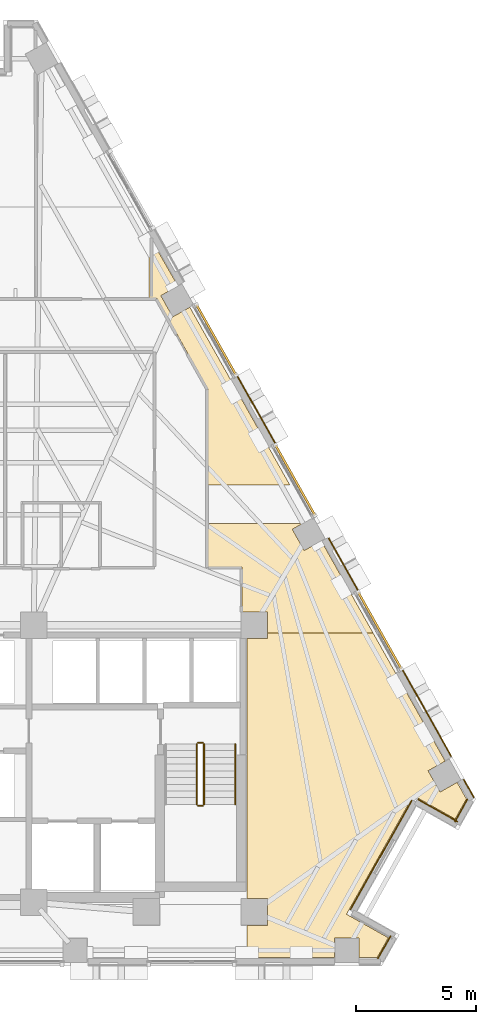
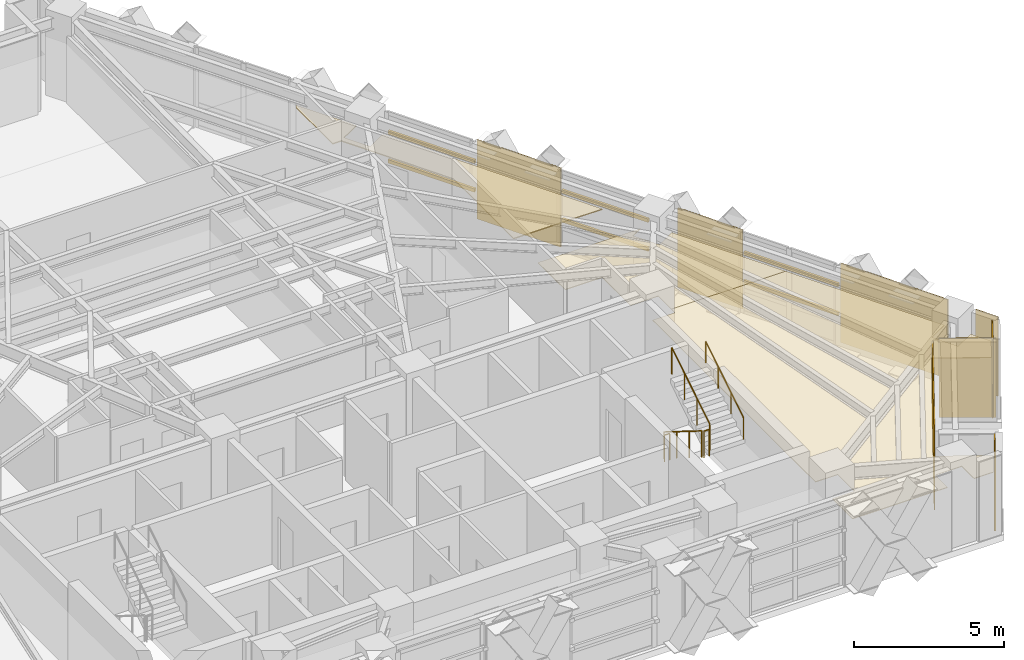
# One storey, part 13 of 14: 11 coverings, 6 shading devices, 5 railings.
"""IFC4 building model written with IfcOpenShell, lengths in metres."""

from ifc_helpers import new_model, si_unit, direction, frame, origin, origin_2d, place, context, subcontext, project, spatial, polyline, rectangle, circle, outline, extrude, material, layer, layer_set, material_profile, profile_set, type_object, element, save


model = new_model("IFC4")

# Units and contexts
model_context = context("Model", 3, precision=1e-05, world=origin(), true_north=direction((0.0, 1.0)))
body_context = subcontext(model_context, "Body", "Model", "MODEL_VIEW")
ifc_project = project(units=[si_unit("LENGTHUNIT", "METRE"), si_unit("AREAUNIT", "SQUARE_METRE"), si_unit("VOLUMEUNIT", "CUBIC_METRE"), si_unit("PLANEANGLEUNIT", "RADIAN"), si_unit("MASSUNIT", "GRAM", prefix="KILO")], contexts=[model_context])

# Site, building, storey
site_placement = place(None, origin())
site = spatial("IfcSite", under=ifc_project, at=site_placement, CompositionType="ELEMENT")
building_placement = place(site_placement, origin())
building = spatial("IfcBuilding", under=site, at=building_placement, Name="Quenlor Broadcast Tower", CompositionType="ELEMENT")
storey_placement = place(building_placement, frame((0.0, 0.0, 154.5)))
storey = spatial("IfcBuildingStorey", under=building, at=storey_placement, Name="L42", CompositionType="ELEMENT", Elevation=154.5)

# Coverings
ifc_material_1 = material(Name="Acoustic Mineral Fibre Board", Category="other")
ifc_layer_1 = layer(ifc_material_1, 0.02490234375)
ifc_layer_set_1 = layer_set([ifc_layer_1], Name="Acoustic Perforated Mineral Tile Ceiling 25")
covering_type_1 = type_object("IfcCoveringType", Name="Acoustic Perforated Mineral Tile Ceiling 25", PredefinedType="CEILING", material=ifc_layer_set_1)
covering_1_placement = place(storey_placement, frame((0.0, 0.0, 2.375)))
element("IfcCovering", 1, at=covering_1_placement, inside=storey, type_object=covering_type_1, Name="L42 Acoustic Ceiling L42-38-2", PredefinedType="CEILING", context=body_context, shape_type="SweptSolid", body=[
    extrude(outline(polyline([(13.508056640625, -4.241943359375), (12.43994140625, -4.241943359375), (12.43994140625, -2.3701171875), (11.014892578125, -2.3701171875), (11.014892578125, -0.560302734375), (14.952880859375, -0.560302734375), (14.5322265625, -0.797119140625), (15.0302734375, -1.6826171875), (15.7431640625, -1.281494140625), (17.90234375, -5.1201171875), (13.508056640625, -5.1201171875), (13.508056640625, -4.241943359375)])), origin(), (0.0, 0.0, 1.0), 0.02490234375),
])
covering_2_placement = place(storey_placement, frame((0.0, 0.0, 2.375)))
element("IfcCovering", 2, at=covering_2_placement, inside=storey, type_object=covering_type_1, Name="L42 Acoustic Ceiling L42-38-4", PredefinedType="CEILING", context=body_context, shape_type="SweptSolid", body=[
    extrude(outline(polyline([(13.508056640625, -17.30810546875), (13.508056640625, -16.19189453125), (12.64990234375, -16.19189453125), (12.64990234375, -5.35791015625), (13.508056640625, -5.35791015625), (13.508056640625, -5.1201171875), (17.90234375, -5.1201171875), (20.90869140625, -10.46484375), (20.19580078125, -10.86572265625), (20.694091796875, -11.751220703125), (21.406982421875, -11.350341796875), (21.794921875, -12.0400390625), (21.323486328125, -12.878173828125), (19.580322265625, -11.8974609375), (16.795654296875, -16.847900390625), (18.538818359375, -17.82861328125), (18.071044921875, -18.659912109375), (17.31640625, -18.659912109375), (17.31640625, -17.842041015625), (16.30029296875, -17.842041015625), (16.30029296875, -18.659912109375), (12.64990234375, -18.659912109375), (12.64990234375, -17.30810546875), (13.508056640625, -17.30810546875)])), origin(), (0.0, 0.0, 1.0), 0.02490234375),
])
ifc_material_2 = material(Name="Acoustic Gypsum Board", Category="other")
ifc_layer_2 = layer(ifc_material_2, 0.0400390625)
ifc_layer_set_2 = layer_set([ifc_layer_2], Name="Broadcast Studio Spring Isolated Ceiling 40")
covering_type_2 = type_object("IfcCoveringType", Name="Broadcast Studio Spring Isolated Ceiling 40", PredefinedType="CEILING", material=ifc_layer_set_2)
covering_3_placement = place(storey_placement, frame((0.0, 0.0, 2.360107421875)))
element("IfcCovering", 3, at=covering_3_placement, inside=storey, type_object=covering_type_2, Name="L42 Acoustic Ceiling L42-33", PredefinedType="CEILING", context=body_context, shape_type="SweptSolid", body=[
    extrude(outline(polyline([(8.550048828125, 8.830078125), (8.550048828125, 11.23974609375), (8.552734375, 11.268798828125), (8.561279296875, 11.296875), (8.574951171875, 11.322509765625), (8.59326171875, 11.34521484375), (8.61572265625, 11.364013671875), (9.76416015625, 9.347900390625), (9.05126953125, 8.947021484375), (9.54931640625, 8.0615234375), (10.26220703125, 8.46240234375), (14.42626953125, 1.06005859375), (11.014892578125, 1.06005859375), (11.014892578125, 5.043701171875), (10.64013671875, 5.7099609375), (8.88525390625, 8.830078125), (8.550048828125, 8.830078125)])), origin(), (0.0, 0.0, 1.0), 0.039794921875),
])

# Shading devices
ifc_material_3 = material(Name="Architectural Terracotta Ceramic", Category="masonry")
ifc_material_profile = material_profile(ifc_material_3, rectangle(XDim=0.090087890625, YDim=0.139892578125, at=origin_2d()))
ifc_profile_set = profile_set([ifc_material_profile], Name="Architectural Terracotta Ceramic BAG90x140")
shading_device_type = type_object("IfcShadingDeviceType", Name="Copper Terracotta Baguette Solar Screen 140", PredefinedType="USERDEFINED", material=ifc_profile_set)
for number, where, z_axis, x_axis, name in (
    (4, (17.282958984375, -3.421142578125, 1.169921875), (0.490258076222, -0.871577316535, 0.0), (0.871577316535, 0.490258076222, 0.0), "L42 Terracotta Baguette Screen 1"),
    (5, (17.282958984375, -3.421142578125, 2.340087890625), (0.490258076222, -0.871577316535, 0.0), (0.871577316535, 0.490258076222, 0.0), "L42 Terracotta Baguette Screen 2"),
):
    element("IfcShadingDevice", number, at=place(storey_placement, frame(where, z_axis=z_axis, x_axis=x_axis)), inside=storey, type_object=shading_device_type, Name=name, ObjectType="BAGUETTE", PredefinedType="USERDEFINED", context=body_context, shape_type="SweptSolid", body=[
        extrude(rectangle(XDim=0.090087890625, YDim=0.139892578125, at=origin_2d()), origin(), (0.0, 0.0, 1.0), 3.6640625),
    ])
for number, where, z_axis, x_axis, name in (
    (6, (10.54052734375, 8.565185546875, 1.169921875), (0.490257780007, -0.871577483155, 0.0), (0.871577483155, 0.490257780007, 0.0), "L42 Terracotta Baguette Screen 1"),
    (7, (10.54052734375, 8.565185546875, 2.340087890625), (0.490257780007, -0.871577483155, 0.0), (0.871577483155, 0.490257780007, 0.0), "L42 Terracotta Baguette Screen 2"),
    (8, (13.8349609375, 2.708740234375, 1.169921875), (0.490288918116, -0.871559967399, 0.0), (0.871559967399, 0.490288918116, 0.0), "L42 Terracotta Baguette Screen 1"),
    (9, (13.8349609375, 2.708740234375, 2.340087890625), (0.490288918116, -0.871559967399, 0.0), (0.871559967399, 0.490288918116, 0.0), "L42 Terracotta Baguette Screen 2"),
):
    element("IfcShadingDevice", number, at=place(storey_placement, frame(where, z_axis=z_axis, x_axis=x_axis)), inside=storey, type_object=shading_device_type, Name=name, ObjectType="BAGUETTE", PredefinedType="USERDEFINED", context=body_context, shape_type="SweptSolid", body=[
        extrude(rectangle(XDim=0.090087890625, YDim=0.139892578125, at=origin_2d()), origin(), (0.0, 0.0, 1.0), 3.350341796875),
    ])

# Coverings
ifc_material_4 = material(Name="Architectural Terracotta Ceramic", Category="masonry")
ifc_layer_3 = layer(ifc_material_4, 0.044921875)
ifc_layer_set_3 = layer_set([ifc_layer_3], Name="Fluted Terracotta Rainscreen Cladding Panel")
covering_type_3 = type_object("IfcCoveringType", Name="Fluted Terracotta Rainscreen Cladding Panel", PredefinedType="CLADDING", material=ifc_layer_set_3)
covering_4_placement = place(storey_placement, frame((0.0, 0.0, 0.02001953125)))
element("IfcCovering", 10, at=covering_4_placement, inside=storey, type_object=covering_type_3, Name="L42 Terracotta Rainscreen Cladding L42-SHD-NES1", PredefinedType="CLADDING", context=body_context, shape_type="SweptSolid", body=[
    extrude(outline(polyline([(21.66162109375, -11.23779296875), (22.0859375, -11.992431640625), (22.125244140625, -11.970458984375), (21.70068359375, -11.2158203125), (21.66162109375, -11.23779296875)])), origin(), (0.0, 0.0, 1.0), 3.2099609375),
])
covering_5_placement = place(storey_placement, frame((0.0, 0.0, 0.02001953125)))
element("IfcCovering", 11, at=covering_5_placement, inside=storey, type_object=covering_type_3, Name="L42 Terracotta Rainscreen Cladding L42-NEC-SP1", PredefinedType="CLADDING", context=body_context, shape_type="SweptSolid", body=[
    extrude(outline(polyline([(16.025146484375, -1.1767578125), (17.254638671875, -3.362548828125), (17.2939453125, -3.340576171875), (16.064453125, -1.15478515625), (16.025146484375, -1.1767578125)])), origin(), (0.0, 0.0, 1.0), 3.2099609375),
])
covering_6_placement = place(storey_placement, frame((0.0, 0.0, 0.02001953125)))
element("IfcCovering", 12, at=covering_6_placement, inside=storey, type_object=covering_type_3, Name="L42 Terracotta Rainscreen Cladding L42-NEC-SP2", PredefinedType="CLADDING", context=body_context, shape_type="SweptSolid", body=[
    extrude(outline(polyline([(19.11474609375, -6.66943359375), (21.14453125, -10.278076171875), (21.183837890625, -10.256103515625), (19.154052734375, -6.6474609375), (19.11474609375, -6.66943359375)])), origin(), (0.0, 0.0, 1.0), 3.2099609375),
])
covering_7_placement = place(storey_placement, frame((0.0, 0.0, 0.02001953125)))
element("IfcCovering", 13, at=covering_7_placement, inside=storey, type_object=covering_type_3, Name="L42 Terracotta Rainscreen Cladding L42-NE-SP1", PredefinedType="CLADDING", context=body_context, shape_type="SweptSolid", body=[
    extrude(outline(polyline([(12.218505859375, 5.59033203125), (13.806396484375, 2.767333984375), (13.845703125, 2.789306640625), (12.2578125, 5.6123046875), (12.218505859375, 5.59033203125)])), origin(), (0.0, 0.0, 1.0), 3.2099609375),
])
covering_8_placement = place(storey_placement, frame((0.0, 0.0, 0.02001953125)))
element("IfcCovering", 14, at=covering_8_placement, inside=storey, type_object=covering_type_3, Name="L42 Terracotta Rainscreen Cladding L42-CNR-02", PredefinedType="CLADDING", context=body_context, shape_type="SweptSolid", body=[
    extrude(outline(polyline([(16.9775390625, -16.663330078125), (19.53662109375, -12.11376953125), (19.49755859375, -12.091796875), (16.938232421875, -16.641357421875), (16.9775390625, -16.663330078125)])), origin(), (0.0, 0.0, 1.0), 3.2099609375),
])
covering_9_placement = place(storey_placement, frame((0.0, 0.0, 0.02001953125)))
element("IfcCovering", 15, at=covering_9_placement, inside=storey, type_object=covering_type_3, Name="L42 Terracotta Rainscreen Cladding L42-CNR-03", PredefinedType="CLADDING", context=body_context, shape_type="SweptSolid", body=[
    extrude(outline(polyline([(19.764892578125, -12.079345703125), (21.4208984375, -13.010986328125), (21.443115234375, -12.9716796875), (19.787109375, -12.0400390625), (19.764892578125, -12.079345703125)])), origin(), (0.0, 0.0, 1.0), 3.2099609375),
])
covering_10_placement = place(storey_placement, frame((0.0, 0.0, 0.02001953125)))
element("IfcCovering", 16, at=covering_10_placement, inside=storey, type_object=covering_type_3, Name="L42 Terracotta Rainscreen Cladding L42-CNR-04", PredefinedType="CLADDING", context=body_context, shape_type="SweptSolid", body=[
    extrude(outline(polyline([(21.328857421875, -13.007080078125), (21.859619140625, -12.0634765625), (21.820556640625, -12.04150390625), (21.289794921875, -12.985107421875), (21.328857421875, -13.007080078125)])), origin(), (0.0, 0.0, 1.0), 3.2099609375),
])
covering_11_placement = place(storey_placement, frame((0.0, 0.0, 0.02001953125)))
element("IfcCovering", 17, at=covering_11_placement, inside=storey, type_object=covering_type_3, Name="L42 Terracotta Rainscreen Cladding L42-CNR-18", PredefinedType="CLADDING", context=body_context, shape_type="SweptSolid", body=[
    extrude(outline(polyline([(18.122802734375, -18.70654296875), (18.652099609375, -17.76611328125), (18.61279296875, -17.743896484375), (18.083740234375, -18.6845703125), (18.122802734375, -18.70654296875)])), origin(), (0.0, 0.0, 1.0), 3.2099609375),
])

# Railings
ifc_material_5 = material(Name="Anodised Aluminium", Category="aluminium")
railing_type_1 = type_object("IfcRailingType", Name="Stainless Aluminium Wall Handrail 900", PredefinedType="HANDRAIL", material=ifc_material_5)
railing_1_placement = place(storey_placement, frame((12.14990234375, -12.27001953125, 1.925048828125)))
element("IfcRailing", 18, at=railing_1_placement, inside=storey, type_object=railing_type_1, Name="L42 ST-2 stair handrail 2", PredefinedType="HANDRAIL", context=body_context, shape_type="SweptSolid", body=[
    extrude(circle(Radius=0.02392578125, at=origin_2d()), frame((0.0, 0.0, 0.8759765625), z_axis=(0.0, 0.848007534815, 0.529984170421), x_axis=(-1.0, 0.0, 0.0)), (0.0, 0.0, 1.0), 2.9716796875),
    extrude(circle(Radius=0.02099609375, at=origin_2d()), origin(), (0.0, 0.0, 1.0), 0.851806640625),
    extrude(circle(Radius=0.02099609375, at=origin_2d()), frame((0.0, 0.840087890625, 0.52490234375)), (0.0, 0.0, 1.0), 0.851806640625),
    extrude(circle(Radius=0.02099609375, at=origin_2d()), frame((0.0, 1.679931640625, 1.050048828125)), (0.0, 0.0, 1.0), 0.851806640625),
    extrude(circle(Radius=0.02099609375, at=origin_2d()), frame((0.0, 2.52001953125, 1.574951171875)), (0.0, 0.0, 1.0), 0.851806640625),
])
ifc_material_6 = material(Name="Steel S355", Category="steel")
railing_type_2 = type_object("IfcRailingType", Name="Tubular Steel S355 Stair Guardrail 1100", PredefinedType="BALUSTRADE", material=ifc_material_6)
railing_2_placement = place(storey_placement, frame((10.550048828125, -9.75, 0.175048828125)))
element("IfcRailing", 19, at=railing_2_placement, inside=storey, type_object=railing_type_2, Name="L42 ST-2 stair guard 1", PredefinedType="BALUSTRADE", context=body_context, shape_type="SweptSolid", body=[
    extrude(circle(Radius=0.02392578125, at=origin_2d()), frame((0.0, 0.0, 1.076171875), z_axis=(0.0, -0.848007534815, 0.529984170421), x_axis=(1.0, 0.0, 0.0)), (0.0, 0.0, 1.0), 2.9716796875),
    extrude(circle(Radius=0.02099609375, at=origin_2d()), origin(), (0.0, 0.0, 1.0), 1.052001953125),
    extrude(circle(Radius=0.02099609375, at=origin_2d()), frame((0.0, -0.840087890625, 0.52490234375)), (0.0, 0.0, 1.0), 1.052001953125),
    extrude(circle(Radius=0.02099609375, at=origin_2d()), frame((0.0, -1.679931640625, 1.050048828125)), (0.0, 0.0, 1.0), 1.052001953125),
    extrude(circle(Radius=0.02099609375, at=origin_2d()), frame((0.0, -2.52001953125, 1.574951171875)), (0.0, 0.0, 1.0), 1.052001953125),
])
railing_3_placement = place(storey_placement, frame((10.60009765625, -12.320068359375, 1.75)))
element("IfcRailing", 20, at=railing_3_placement, inside=storey, type_object=railing_type_2, Name="L42 ST-2 stair guard 2", PredefinedType="BALUSTRADE", context=body_context, shape_type="SweptSolid", body=[
    extrude(circle(Radius=0.02392578125, at=origin_2d()), frame((0.0, 0.0, 1.076171875), z_axis=(1.0, 0.0, 0.0), x_axis=(0.0, 1.0, 0.0)), (0.0, 0.0, 1.0), 0.199951171875),
    extrude(circle(Radius=0.02099609375, at=origin_2d()), origin(), (0.0, 0.0, 1.0), 1.052001953125),
    extrude(circle(Radius=0.02099609375, at=origin_2d()), frame((0.199951171875, 0.0, 0.0)), (0.0, 0.0, 1.0), 1.052001953125),
])
railing_4_placement = place(storey_placement, frame((10.85009765625, -12.27001953125, 1.925048828125)))
element("IfcRailing", 21, at=railing_4_placement, inside=storey, type_object=railing_type_2, Name="L42 ST-2 stair guard 3", PredefinedType="BALUSTRADE", context=body_context, shape_type="SweptSolid", body=[
    extrude(circle(Radius=0.02392578125, at=origin_2d()), frame((0.0, 0.0, 1.076171875), z_axis=(0.0, 0.848007534815, 0.529984170421), x_axis=(-1.0, 0.0, 0.0)), (0.0, 0.0, 1.0), 2.9716796875),
    extrude(circle(Radius=0.02099609375, at=origin_2d()), origin(), (0.0, 0.0, 1.0), 1.052001953125),
    extrude(circle(Radius=0.02099609375, at=origin_2d()), frame((0.0, 0.840087890625, 0.52490234375)), (0.0, 0.0, 1.0), 1.052001953125),
    extrude(circle(Radius=0.02099609375, at=origin_2d()), frame((0.0, 1.679931640625, 1.050048828125)), (0.0, 0.0, 1.0), 1.052001953125),
    extrude(circle(Radius=0.02099609375, at=origin_2d()), frame((0.0, 2.52001953125, 1.574951171875)), (0.0, 0.0, 1.0), 1.052001953125),
])
railing_5_placement = place(storey_placement, frame((10.60009765625, -9.699951171875, 0.0)))
element("IfcRailing", 22, at=railing_5_placement, inside=storey, type_object=railing_type_2, Name="L42 ST-2 stair guard 4", PredefinedType="BALUSTRADE", context=body_context, shape_type="SweptSolid", body=[
    extrude(circle(Radius=0.02392578125, at=origin_2d()), frame((0.0, 0.0, 1.076171875), z_axis=(1.0, 0.0, 0.0), x_axis=(0.0, 1.0, 0.0)), (0.0, 0.0, 1.0), 0.199951171875),
    extrude(circle(Radius=0.02099609375, at=origin_2d()), origin(), (0.0, 0.0, 1.0), 1.052001953125),
    extrude(circle(Radius=0.02099609375, at=origin_2d()), frame((0.199951171875, 0.0, 0.0)), (0.0, 0.0, 1.0), 1.052001953125),
])

save(model, "model.ifc")
